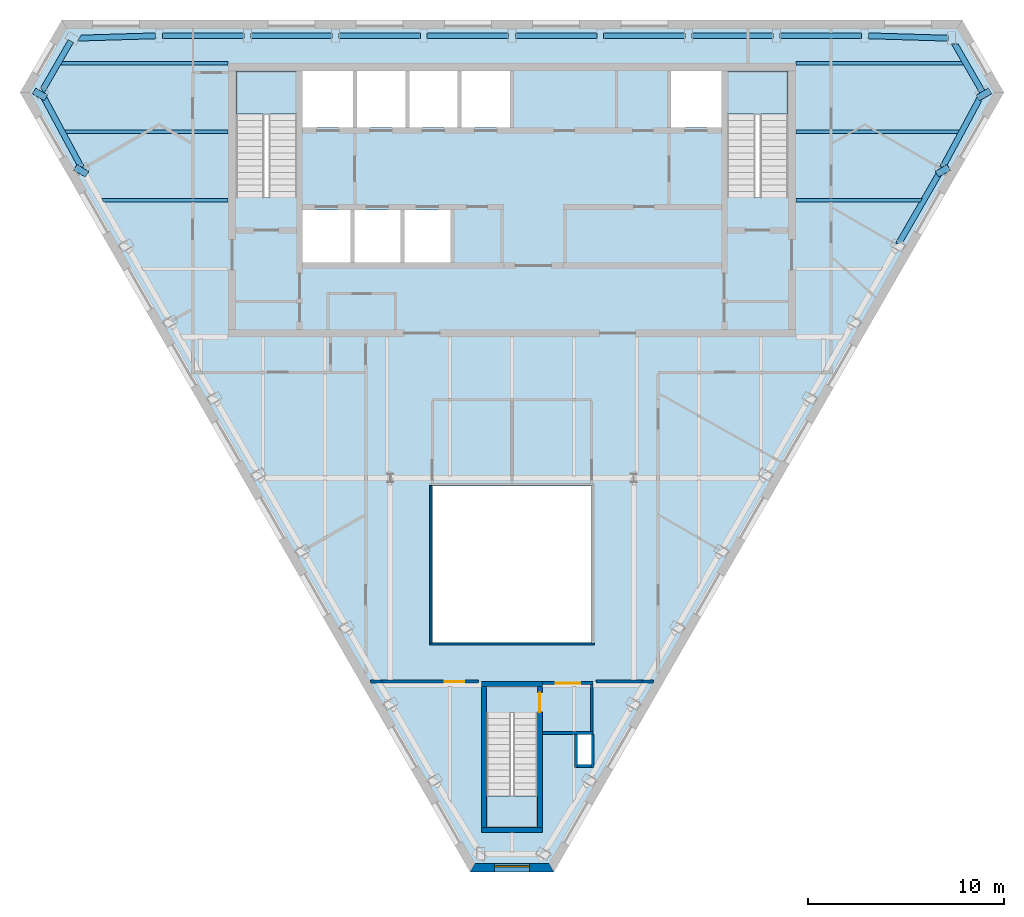
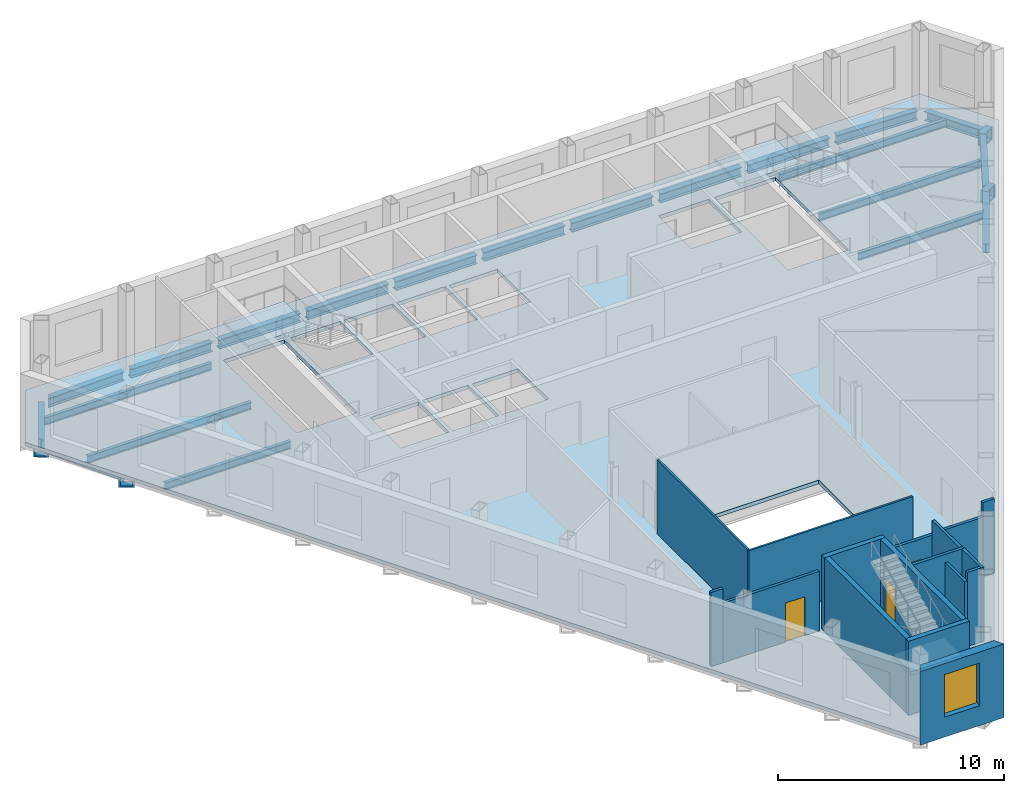
# One storey, part 3 of 9: 25 beams, 17 walls, 4 slabs, 3 doors, 1 window, 4 openings, 3 elements without a shape of their own.
"""IFC4 building model written with IfcOpenShell, lengths in metres."""

from ifc_helpers import new_model, si_unit, direction, frame, frame_2d, origin, origin_2d, place, context, subcontext, project, spatial, polyline, rectangle, hollow_rectangle, i_section, outline, extrude, clip, halfspace, material, layer, layer_set, material_profile, profile_set, type_object, element, fill, aggregate, save


model = new_model("IFC4")

# Units and contexts
model_context = context("Model", 3, precision=1e-05, world=origin(), true_north=direction((0.0, 1.0)))
body_context = subcontext(model_context, "Body", "Model", "MODEL_VIEW")
ifc_project = project(units=[si_unit("LENGTHUNIT", "METRE"), si_unit("AREAUNIT", "SQUARE_METRE"), si_unit("VOLUMEUNIT", "CUBIC_METRE"), si_unit("PLANEANGLEUNIT", "RADIAN"), si_unit("MASSUNIT", "GRAM", prefix="KILO")], contexts=[model_context])

# Site, building, storey
site_placement = place(None, origin())
site = spatial("IfcSite", under=ifc_project, at=site_placement, CompositionType="ELEMENT")
building_placement = place(site_placement, origin())
building = spatial("IfcBuilding", under=site, at=building_placement, Name="Njiva Tower", CompositionType="ELEMENT")
storey_placement = place(building_placement, frame((0.0, 0.0, 321.0)))
storey = spatial("IfcBuildingStorey", under=building, at=storey_placement, Name="L73", CompositionType="ELEMENT", Elevation=321.0)

# Beams
ifc_material_1 = material(Name="Steel S355 J2", Category="steel")
ifc_material_profile_1 = material_profile(ifc_material_1, hollow_rectangle(XDim=0.7, YDim=0.7, WallThickness=0.08, at=origin_2d()), Name="BOX 700x700x80")
ifc_profile_set_1 = profile_set([ifc_material_profile_1], Name="Steel S355 J2")
beam_type_1 = type_object("IfcBeamType", Name="B19 Column jog beam BOX 700x700x80", PredefinedType="BEAM", material=ifc_profile_set_1)
beam_1_placement = place(storey_placement, frame((-24.198, 16.251, -0.55), z_axis=(0.500571914019, 0.865694957185, 0.0), x_axis=(-0.865694957185, 0.500571914019, 0.0)))
element("IfcBeam", 1, at=beam_1_placement, inside=storey, type_object=beam_type_1, Name="Column jog beam S25-B015", PredefinedType="BEAM", context=body_context, shape_type="SweptSolid", body=[
    extrude(hollow_rectangle(XDim=0.7, YDim=0.7, WallThickness=0.08, at=origin_2d()), origin(), (0.0, 0.0, 1.0), 0.3396),
])
for number, where, z_axis, x_axis, name in (
    (2, (-22.098, 12.348, -0.55), (0.499298623879, 0.866429964967, 0.0), (-0.866429964967, 0.499298623879, 0.0), "Column jog beam S25-B016"),
    (3, (22.098, 12.348, -0.55), (-0.499298623879, 0.866429964967, 0.0), (-0.866429964967, -0.499298623879, 0.0), "Column jog beam S25-B037"),
):
    element("IfcBeam", number, at=place(storey_placement, frame(where, z_axis=z_axis, x_axis=x_axis)), inside=storey, type_object=beam_type_1, Name=name, PredefinedType="BEAM", context=body_context, shape_type="SweptSolid", body=[
        extrude(hollow_rectangle(XDim=0.7, YDim=0.7, WallThickness=0.08, at=origin_2d()), origin(), (0.0, 0.0, 1.0), 0.3405),
    ])
beam_2_placement = place(storey_placement, frame((24.198, 16.251, -0.55), z_axis=(-0.500571914019, 0.865694957185, 0.0), x_axis=(-0.865694957185, -0.500571914019, 0.0)))
element("IfcBeam", 4, at=beam_2_placement, inside=storey, type_object=beam_type_1, Name="Column jog beam S25-B038", PredefinedType="BEAM", context=body_context, shape_type="SweptSolid", body=[
    extrude(hollow_rectangle(XDim=0.7, YDim=0.7, WallThickness=0.08, at=origin_2d()), origin(), (0.0, 0.0, 1.0), 0.3396),
])
ifc_material_profile_2 = material_profile(ifc_material_1, i_section(OverallWidth=0.3, OverallDepth=0.49, WebThickness=0.012, FlangeThickness=0.023, at=origin_2d()), Name="HEA 500")
ifc_profile_set_2 = profile_set([ifc_material_profile_2], Name="Steel S355 J2")
beam_type_2 = type_object("IfcBeamType", Name="B48 Short-span spandrel beam HEA 500", PredefinedType="SPANDREL", material=ifc_profile_set_2)
beam_3_placement = place(storey_placement, frame((22.277, 19.272, -0.445), z_axis=(-0.999544102072, 0.030192515853, 0.0), x_axis=(-0.030192515853, -0.999544102072, 0.0)))
element("IfcBeam", 5, at=beam_3_placement, inside=storey, type_object=beam_type_2, Name="Short-span spandrel beam S25-B112", PredefinedType="SPANDREL", context=body_context, shape_type="SweptSolid", body=[
    extrude(i_section(OverallWidth=0.3, OverallDepth=0.49, WebThickness=0.012, FlangeThickness=0.023, at=origin_2d()), origin(), (0.0, 0.0, 1.0), 4.0739),
])
beam_4_placement = place(storey_placement, frame((17.851, 19.4, -0.445), z_axis=(-1.0, 0.0, 0.0), x_axis=(0.0, -1.0, 0.0)))
element("IfcBeam", 6, at=beam_4_placement, inside=storey, type_object=beam_type_2, Name="Short-span spandrel beam S25-B107", PredefinedType="SPANDREL", context=body_context, shape_type="SweptSolid", body=[
    extrude(i_section(OverallWidth=0.3, OverallDepth=0.49, WebThickness=0.012, FlangeThickness=0.023, at=origin_2d()), origin(), (0.0, 0.0, 1.0), 4.156),
])
beam_5_placement = place(storey_placement, frame((13.345, 19.4, -0.445), z_axis=(-1.0, 0.0, 0.0), x_axis=(0.0, -1.0, 0.0)))
element("IfcBeam", 7, at=beam_5_placement, inside=storey, type_object=beam_type_2, Name="Short-span spandrel beam S25-B102", PredefinedType="SPANDREL", context=body_context, shape_type="SweptSolid", body=[
    extrude(i_section(OverallWidth=0.3, OverallDepth=0.49, WebThickness=0.012, FlangeThickness=0.023, at=origin_2d()), origin(), (0.0, 0.0, 1.0), 4.157),
])
beam_6_placement = place(storey_placement, frame((8.838, 19.4, -0.445), z_axis=(-1.0, 0.0, 0.0), x_axis=(0.0, -1.0, 0.0)))
element("IfcBeam", 8, at=beam_6_placement, inside=storey, type_object=beam_type_2, Name="Short-span spandrel beam S25-B097", PredefinedType="SPANDREL", context=body_context, shape_type="SweptSolid", body=[
    extrude(i_section(OverallWidth=0.3, OverallDepth=0.49, WebThickness=0.012, FlangeThickness=0.023, at=origin_2d()), origin(), (0.0, 0.0, 1.0), 4.156),
])
for number, where, z_axis, x_axis, name in (
    (9, (4.332, 19.4, -0.445), (-1.0, 0.0, 0.0), (0.0, -1.0, 0.0), "Short-span spandrel beam S25-B092"),
    (10, (-0.175, 19.4, -0.445), (-1.0, 0.0, 0.0), (0.0, -1.0, 0.0), "Short-span spandrel beam S25-B087"),
):
    element("IfcBeam", number, at=place(storey_placement, frame(where, z_axis=z_axis, x_axis=x_axis)), inside=storey, type_object=beam_type_2, Name=name, PredefinedType="SPANDREL", context=body_context, shape_type="SweptSolid", body=[
        extrude(i_section(OverallWidth=0.3, OverallDepth=0.49, WebThickness=0.012, FlangeThickness=0.023, at=origin_2d()), origin(), (0.0, 0.0, 1.0), 4.157),
    ])
beam_7_placement = place(storey_placement, frame((-4.682, 19.4, -0.445), z_axis=(-1.0, 0.0, 0.0), x_axis=(0.0, -1.0, 0.0)))
element("IfcBeam", 11, at=beam_7_placement, inside=storey, type_object=beam_type_2, Name="Short-span spandrel beam S25-B082", PredefinedType="SPANDREL", context=body_context, shape_type="SweptSolid", body=[
    extrude(i_section(OverallWidth=0.3, OverallDepth=0.49, WebThickness=0.012, FlangeThickness=0.023, at=origin_2d()), origin(), (0.0, 0.0, 1.0), 4.156),
])
beam_8_placement = place(storey_placement, frame((-9.188, 19.4, -0.445), z_axis=(-1.0, 0.0, 0.0), x_axis=(0.0, -1.0, 0.0)))
element("IfcBeam", 12, at=beam_8_placement, inside=storey, type_object=beam_type_2, Name="Short-span spandrel beam S25-B077", PredefinedType="SPANDREL", context=body_context, shape_type="SweptSolid", body=[
    extrude(i_section(OverallWidth=0.3, OverallDepth=0.49, WebThickness=0.012, FlangeThickness=0.023, at=origin_2d()), origin(), (0.0, 0.0, 1.0), 4.157),
])
beam_9_placement = place(storey_placement, frame((-13.695, 19.4, -0.445), z_axis=(-1.0, 0.0, 0.0), x_axis=(0.0, -1.0, 0.0)))
element("IfcBeam", 13, at=beam_9_placement, inside=storey, type_object=beam_type_2, Name="Short-span spandrel beam S25-B072", PredefinedType="SPANDREL", context=body_context, shape_type="SweptSolid", body=[
    extrude(i_section(OverallWidth=0.3, OverallDepth=0.49, WebThickness=0.012, FlangeThickness=0.023, at=origin_2d()), origin(), (0.0, 0.0, 1.0), 4.156),
])
beam_10_placement = place(storey_placement, frame((-18.205, 19.395, -0.445), z_axis=(-0.999542354349, -0.030250320034, 0.0), x_axis=(0.030250320034, -0.999542354349, 0.0)))
element("IfcBeam", 14, at=beam_10_placement, inside=storey, type_object=beam_type_2, Name="Short-span spandrel beam S25-B067", PredefinedType="SPANDREL", context=body_context, shape_type="Clipping", body=[
    clip(extrude(i_section(OverallWidth=0.3, OverallDepth=0.49, WebThickness=0.012, FlangeThickness=0.023, at=origin_2d()), origin(), (0.0, 0.0, 1.0), 4.0138), halfspace(frame((-0.0268, 0.0, 3.8841), z_axis=(-0.525966768254, 0.0, 0.850505119734), x_axis=(0.0, 1.0, 0.0)), False)),
])
beam_11_placement = place(storey_placement, frame((-22.544, 19.116, -0.445), z_axis=(-0.500030697692, -0.866007679738, 0.0), x_axis=(0.866007679738, -0.500030697692, 0.0)))
element("IfcBeam", 15, at=beam_11_placement, inside=storey, type_object=beam_type_2, Name="Short-span spandrel beam S25-B063", PredefinedType="SPANDREL", context=body_context, shape_type="Clipping", body=[
    clip(extrude(i_section(OverallWidth=0.3, OverallDepth=0.49, WebThickness=0.012, FlangeThickness=0.023, at=origin_2d()), origin(), (0.0, 0.0, 1.0), 3.0088), halfspace(frame((-0.0244, 0.0, 2.8876), z_axis=(-0.499971291931, 0.0, 0.866041977761), x_axis=(0.0, 1.0, 0.0)), False)),
])
beam_12_placement = place(storey_placement, frame((-23.921, 16.239, -0.445), z_axis=(0.473719218081, -0.880675934962, 0.0), x_axis=(0.880675934962, 0.473719218081, 0.0)))
element("IfcBeam", 16, at=beam_12_placement, inside=storey, type_object=beam_type_2, Name="Short-span spandrel beam S25-B065", PredefinedType="SPANDREL", context=body_context, shape_type="SweptSolid", body=[
    extrude(i_section(OverallWidth=0.3, OverallDepth=0.49, WebThickness=0.012, FlangeThickness=0.023, at=origin_2d()), origin(), (0.0, 0.0, 1.0), 4.0741),
])
beam_13_placement = place(storey_placement, frame((19.737, 8.744, -0.445), z_axis=(0.499916824138, 0.866073420066, 0.0), x_axis=(-0.866073420066, 0.499916824138, 0.0)))
element("IfcBeam", 17, at=beam_13_placement, inside=storey, type_object=beam_type_2, Name="Short-span spandrel beam S25-B113", PredefinedType="SPANDREL", context=body_context, shape_type="SweptSolid", body=[
    extrude(i_section(OverallWidth=0.3, OverallDepth=0.49, WebThickness=0.012, FlangeThickness=0.023, at=origin_2d()), origin(), (0.0, 0.0, 1.0), 4.1567),
])
beam_14_placement = place(storey_placement, frame((21.991, 12.651, -0.445), z_axis=(0.473742932828, 0.88066317829, 0.0), x_axis=(-0.88066317829, 0.473742932828, 0.0)))
element("IfcBeam", 18, at=beam_14_placement, inside=storey, type_object=beam_type_2, Name="Short-span spandrel beam S25-B115", PredefinedType="SPANDREL", context=body_context, shape_type="Clipping", body=[
    clip(extrude(i_section(OverallWidth=0.3, OverallDepth=0.49, WebThickness=0.012, FlangeThickness=0.023, at=origin_2d()), origin(), (0.0, 0.0, 1.0), 4.1236), halfspace(frame((-0.0259, 0.0, 3.9945), z_axis=(-0.525807172935, 0.0, 0.850603795483), x_axis=(0.0, 1.0, 0.0)), False)),
])
beam_15_placement = place(storey_placement, frame((24.058, 16.493, -0.445), z_axis=(-0.500166797759, 0.865929081634, 0.0), x_axis=(-0.865929081634, -0.500166797759, 0.0)))
element("IfcBeam", 19, at=beam_15_placement, inside=storey, type_object=beam_type_2, Name="Short-span spandrel beam S25-B118", PredefinedType="SPANDREL", context=body_context, shape_type="Clipping", body=[
    clip(extrude(i_section(OverallWidth=0.3, OverallDepth=0.49, WebThickness=0.012, FlangeThickness=0.023, at=origin_2d()), origin(), (0.0, 0.0, 1.0), 2.964), halfspace(frame((-0.0254, 0.0, 2.8424), z_axis=(-0.500166797759, 0.0, 0.865929081634), x_axis=(0.0, 1.0, 0.0)), False)),
])
ifc_material_profile_3 = material_profile(ifc_material_1, i_section(OverallWidth=0.18, OverallDepth=0.4, WebThickness=0.0086, FlangeThickness=0.0135, at=origin_2d()), Name="IPE 400")
ifc_profile_set_3 = profile_set([ifc_material_profile_3], Name="Steel S355 J2")
beam_type_3 = type_object("IfcBeamType", Name="B51 Floor beam to the core IPE 400", PredefinedType="BEAM", material=ifc_profile_set_3)
beam_16_placement = place(storey_placement, frame((-20.996, 11.0, -0.4), z_axis=(1.0, 0.0, 0.0), x_axis=(0.0, 1.0, 0.0)))
element("IfcBeam", 20, at=beam_16_placement, inside=storey, type_object=beam_type_3, Name="Floor beam to the core S25-B003", PredefinedType="BEAM", context=body_context, shape_type="Clipping", body=[
    clip(extrude(i_section(OverallWidth=0.18, OverallDepth=0.4, WebThickness=0.0086, FlangeThickness=0.0135, at=origin_2d()), origin(), (0.0, 0.0, 1.0), 6.496), halfspace(frame((-0.025, 0.0, 0.0863), z_axis=(-0.499998009787, 0.0, -0.866026552831), x_axis=(0.0, -1.0, 0.0)), False)),
])
beam_17_placement = place(storey_placement, frame((14.5, 11.0, -0.4), z_axis=(1.0, 0.0, 0.0), x_axis=(0.0, 1.0, 0.0)))
element("IfcBeam", 21, at=beam_17_placement, inside=storey, type_object=beam_type_3, Name="Floor beam to the core S25-B006", PredefinedType="BEAM", context=body_context, shape_type="Clipping", body=[
    clip(extrude(i_section(OverallWidth=0.18, OverallDepth=0.4, WebThickness=0.0086, FlangeThickness=0.0135, at=origin_2d()), origin(), (0.0, 0.0, 1.0), 6.496), halfspace(frame((-0.025, 0.0, 6.4097), z_axis=(-0.499998009787, 0.0, 0.866026552831), x_axis=(0.0, 1.0, 0.0)), False)),
])
beam_18_placement = place(storey_placement, frame((-22.94, 14.5, -0.4), z_axis=(1.0, 0.0, 0.0), x_axis=(0.0, 1.0, 0.0)))
element("IfcBeam", 22, at=beam_18_placement, inside=storey, type_object=beam_type_3, Name="Floor beam to the core S25-B002", PredefinedType="BEAM", context=body_context, shape_type="Clipping", body=[
    clip(extrude(i_section(OverallWidth=0.18, OverallDepth=0.4, WebThickness=0.0086, FlangeThickness=0.0135, at=origin_2d()), origin(), (0.0, 0.0, 1.0), 8.44), halfspace(frame((-0.0237, 0.0, 0.0811), z_axis=(-0.47376166762, 0.0, -0.88065309986), x_axis=(0.0, -1.0, 0.0)), False)),
])
beam_19_placement = place(storey_placement, frame((14.5, 14.5, -0.4), z_axis=(1.0, 0.0, 0.0), x_axis=(0.0, 1.0, 0.0)))
element("IfcBeam", 23, at=beam_19_placement, inside=storey, type_object=beam_type_3, Name="Floor beam to the core S25-B007", PredefinedType="BEAM", context=body_context, shape_type="Clipping", body=[
    clip(extrude(i_section(OverallWidth=0.18, OverallDepth=0.4, WebThickness=0.0086, FlangeThickness=0.0135, at=origin_2d()), origin(), (0.0, 0.0, 1.0), 8.44), halfspace(frame((-0.0237, 0.0, 8.3589), z_axis=(-0.47376166762, 0.0, 0.88065309986), x_axis=(0.0, 1.0, 0.0)), False)),
])
beam_20_placement = place(storey_placement, frame((-23.144, 18.0, -0.4), z_axis=(1.0, 0.0, 0.0), x_axis=(0.0, 1.0, 0.0)))
element("IfcBeam", 24, at=beam_20_placement, inside=storey, type_object=beam_type_3, Name="Floor beam to the core S25-B001", PredefinedType="BEAM", context=body_context, shape_type="Clipping", body=[
    clip(extrude(i_section(OverallWidth=0.18, OverallDepth=0.4, WebThickness=0.0086, FlangeThickness=0.0135, at=origin_2d()), origin(), (0.0, 0.0, 1.0), 8.644), halfspace(frame((0.025, 0.0, 0.0862), z_axis=(0.499998009787, 0.0, -0.866026552831), x_axis=(0.0, -1.0, 0.0)), False)),
])
beam_21_placement = place(storey_placement, frame((14.5, 18.0, -0.4), z_axis=(1.0, 0.0, 0.0), x_axis=(0.0, 1.0, 0.0)))
element("IfcBeam", 25, at=beam_21_placement, inside=storey, type_object=beam_type_3, Name="Floor beam to the core S25-B008", PredefinedType="BEAM", context=body_context, shape_type="Clipping", body=[
    clip(extrude(i_section(OverallWidth=0.18, OverallDepth=0.4, WebThickness=0.0086, FlangeThickness=0.0135, at=origin_2d()), origin(), (0.0, 0.0, 1.0), 8.644), halfspace(frame((0.025, 0.0, 8.5578), z_axis=(0.499998009787, 0.0, 0.866026552831), x_axis=(0.0, 1.0, 0.0)), False)),
])

# Stair, slab
ifc_material_2 = material(Name="Concrete C40/50", Category="concrete")
stair_type_1 = type_object("IfcStairType", Name="ST3 Exit stair 1450", PredefinedType="HALF_TURN_STAIR", material=ifc_material_2)
stair_1_placement = place(storey_placement, origin())
stair_1 = element("IfcStair", 26, at=stair_1_placement, inside=storey, type_object=stair_type_1, Name="Stair A", PredefinedType="HALF_TURN_STAIR")
ifc_layer_1 = layer(ifc_material_2, 0.2)
ifc_layer_set_1 = layer_set([ifc_layer_1], Name="Concrete C40/50")
slab_type_1 = type_object("IfcSlabType", Name="FL9 Stair landing 200", PredefinedType="LANDING", material=ifc_layer_set_1)
slab_1_placement = place(storey_placement, frame((0.0, 0.0, 1.9)))
slab_1 = element("IfcSlab", 27, at=slab_1_placement, type_object=slab_type_1, Name="ST-A landing 1", PredefinedType="LANDING", context=body_context, shape_type="SweptSolid", body=[
    extrude(outline(polyline([(-14.106, 15.39), (-10.994, 15.39), (-10.994, 17.6), (-14.106, 17.6), (-14.106, 15.39)])), origin(), (0.0, 0.0, 1.0), 0.2),
])
aggregate(stair_1, [slab_1])

stair_2_placement = place(storey_placement, origin())
stair_2 = element("IfcStair", 28, at=stair_2_placement, inside=storey, type_object=stair_type_1, Name="Stair B", PredefinedType="HALF_TURN_STAIR")
slab_2_placement = place(storey_placement, frame((0.0, 0.0, 1.9)))
slab_2 = element("IfcSlab", 29, at=slab_2_placement, type_object=slab_type_1, Name="ST-B landing 1", PredefinedType="LANDING", context=body_context, shape_type="SweptSolid", body=[
    extrude(outline(polyline([(10.994, 15.39), (14.106, 15.39), (14.106, 17.6), (10.994, 17.6), (10.994, 15.39)])), origin(), (0.0, 0.0, 1.0), 0.2),
])
aggregate(stair_2, [slab_2])

stair_type_2 = type_object("IfcStairType", Name="ST1 Exit stair 1250", PredefinedType="HALF_TURN_STAIR", material=ifc_material_2)
stair_3_placement = place(storey_placement, origin())
stair_3 = element("IfcStair", 30, at=stair_3_placement, inside=storey, type_object=stair_type_2, Name="Stair C", PredefinedType="HALF_TURN_STAIR")
slab_3_placement = place(storey_placement, frame((0.0, 0.0, 1.9)))
slab_3 = element("IfcSlab", 31, at=slab_3_placement, type_object=slab_type_1, Name="ST-C landing 1", PredefinedType="LANDING", context=body_context, shape_type="SweptSolid", body=[
    extrude(outline(polyline([(-1.306, -21.05), (1.306, -21.05), (1.306, -19.45), (-1.306, -19.45), (-1.306, -21.05)])), origin(), (0.0, 0.0, 1.0), 0.2),
])
aggregate(stair_3, [slab_3])

# Slab
ifc_material_3 = material(Name="Concrete C30/37", Category="concrete")
ifc_layer_2 = layer(ifc_material_3, 0.2)
ifc_layer_set_2 = layer_set([ifc_layer_2], Name="Concrete C30/37")
slab_type_2 = type_object("IfcSlabType", Name="SL16 Composite floor slab 200", PredefinedType="FLOOR", material=ifc_layer_set_2)
slab_4_placement = place(storey_placement, frame((0.0, 0.0, -0.2)))
element("IfcSlab", 32, at=slab_4_placement, inside=storey, type_object=slab_type_2, Name="Floor slab L73", PredefinedType="FLOOR", context=body_context, shape_type="SweptSolid", body=[
    extrude(outline(polyline([(24.8752, 16.4934), (2.0101, -23.1101), (-2.0101, -23.1101), (-24.8752, 16.4934), (-22.8651, 19.975), (22.8651, 19.975), (24.8752, 16.4934)]), holes=[polyline([(10.994, 11.13), (14.106, 11.13), (14.106, 17.6), (10.994, 17.6), (10.994, 11.13)]), polyline([(8.125, 14.7), (10.7, 14.7), (10.7, 17.6), (8.125, 17.6), (8.125, 14.7)]), polyline([(4.07, -11.6), (4.07, -3.6), (-4.07, -3.6), (-4.07, -11.6), (4.07, -11.6)]), polyline([(3.35, -17.85), (4.05, -17.85), (4.05, -16.3), (3.35, -16.3), (3.35, -17.85)]), polyline([(-1.306, -21.05), (1.306, -21.05), (1.306, -15.19), (-1.306, -15.19), (-1.306, -21.05)]), polyline([(-2.575, 14.7), (-0.1, 14.7), (-0.1, 17.6), (-2.575, 17.6), (-2.575, 14.7)]), polyline([(-2.775, 14.7), (-2.775, 17.6), (-5.25, 17.6), (-5.25, 14.7), (-2.775, 14.7)]), polyline([(-5.5, 7.8), (-3.15, 7.8), (-3.15, 10.5), (-5.5, 10.5), (-5.5, 7.8)]), polyline([(-7.925, 14.7), (-5.45, 14.7), (-5.45, 17.6), (-7.925, 17.6), (-7.925, 14.7)]), polyline([(-8.05, 7.8), (-5.7, 7.8), (-5.7, 10.5), (-8.05, 10.5), (-8.05, 7.8)]), polyline([(-10.7, 14.7), (-8.125, 14.7), (-8.125, 17.6), (-10.7, 17.6), (-10.7, 14.7)]), polyline([(-8.25, 7.8), (-8.25, 10.5), (-10.7, 10.5), (-10.7, 7.8), (-8.25, 7.8)]), polyline([(-10.994, 11.13), (-10.994, 17.6), (-14.106, 17.6), (-14.106, 11.13), (-10.994, 11.13)])]), origin(), (0.0, 0.0, 1.0), 0.2),
])

# Wall
ifc_material_4 = material(Name="Gypsum board on steel studs", Category="gypsum")
ifc_layer_3 = layer(ifc_material_4, 0.15)
ifc_layer_set_3 = layer_set([ifc_layer_3], Name="Gypsum board on steel studs")
wall_type_1 = type_object("IfcWallType", Name="WT21 Compartment wall 150", PredefinedType="PARTITIONING", material=ifc_layer_set_3)
wall_1_placement = place(storey_placement, frame((-7.241, -13.6, 0.0), z_axis=(0.0, 0.0, 1.0), x_axis=(1.0, 0.0, 0.0)))
element("IfcWall", 33, at=wall_1_placement, inside=storey, type_object=wall_type_1, Name="Partition S25-P011", PredefinedType="PARTITIONING", context=body_context, shape_type="SweptSolid", body=[
    extrude(rectangle(XDim=0.606, YDim=0.15, at=frame_2d((0.303, 0.0))), origin(), (0.0, 0.0, 1.0), 4.0),
])

# Wall, opening, door
wall_2_placement = place(storey_placement, frame((-6.635, -13.6, 0.0), z_axis=(0.0, 0.0, 1.0), x_axis=(1.0, 0.0, 0.0)))
wall_2 = element("IfcWall", 34, at=wall_2_placement, inside=storey, type_object=wall_type_1, Name="Partition S25-P011A", PredefinedType="PARTITIONING", context=body_context, shape_type="SweptSolid", body=[
    extrude(rectangle(XDim=4.935, YDim=0.15, at=frame_2d((2.4675, 0.0))), origin(), (0.0, 0.0, 1.0), 3.21),
])
opening_1_placement = place(wall_2_placement, frame((3.189, 0.0, 0.0)))
opening_1 = element("IfcOpeningElement", 35, at=opening_1_placement, cuts=wall_2, Name="Opening S25-D008", PredefinedType="OPENING", context=body_context, shape_type="SweptSolid", body=[
    extrude(rectangle(XDim=1.0, YDim=2.1, at=frame_2d((0.5, 1.05))), frame((0.0, 0.085, 0.0), z_axis=(0.0, -1.0, 0.0), x_axis=(1.0, 0.0, 0.0)), (0.0, 0.0, 1.0), 0.17),
])
ifc_material_5 = material(Name="Steel fire door set", Category="steel")
door_type_1 = type_object("IfcDoorType", Name="D37 Fire door 1000x2100", OperationType="SINGLE_SWING_LEFT", PredefinedType="DOOR", material=ifc_material_5)
door_1_placement = place(opening_1_placement, origin())
door_1 = element("IfcDoor", 36, at=door_1_placement, inside=storey, type_object=door_type_1, Name="Door S25-D008", OperationType="SINGLE_SWING_RIGHT", OverallHeight=2.1, OverallWidth=1.0, PredefinedType="DOOR", context=body_context, shape_type="SweptSolid", body=[
    extrude(rectangle(XDim=1.0, YDim=2.1, at=frame_2d((0.5, 1.05))), frame((0.0, 0.025, 0.0), z_axis=(0.0, -1.0, 0.0), x_axis=(1.0, 0.0, 0.0)), (0.0, 0.0, 1.0), 0.05),
])
fill(opening_1, door_1)

# Walls
wall_3_placement = place(storey_placement, frame((4.3, -13.6, 0.0), z_axis=(0.0, 0.0, 1.0), x_axis=(1.0, 0.0, 0.0)))
element("IfcWall", 37, at=wall_3_placement, inside=storey, type_object=wall_type_1, Name="Partition S25-P016", PredefinedType="PARTITIONING", context=body_context, shape_type="SweptSolid", body=[
    extrude(rectangle(XDim=2.335, YDim=0.15, at=frame_2d((1.1675, 0.0))), origin(), (0.0, 0.0, 1.0), 3.21),
])
wall_4_placement = place(storey_placement, frame((6.635, -13.6, 0.0), z_axis=(0.0, 0.0, 1.0), x_axis=(1.0, 0.0, 0.0)))
element("IfcWall", 38, at=wall_4_placement, inside=storey, type_object=wall_type_1, Name="Partition S25-P016A", PredefinedType="PARTITIONING", context=body_context, shape_type="SweptSolid", body=[
    extrude(rectangle(XDim=0.606, YDim=0.15, at=frame_2d((0.303, 0.0))), origin(), (0.0, 0.0, 1.0), 4.0),
])
ifc_material_6 = material(Name="Blockwork", Category="masonry")
ifc_layer_4 = layer(ifc_material_6, 0.15)
ifc_layer_set_4 = layer_set([ifc_layer_4], Name="Blockwork")
wall_type_2 = type_object("IfcWallType", Name="WT4 Stair partition 150", PredefinedType="PARTITIONING", material=ifc_layer_set_4)
wall_5_placement = place(storey_placement, frame((1.55, -16.225, 0.0), z_axis=(0.0, 0.0, 1.0), x_axis=(1.0, 0.0, 0.0)))
element("IfcWall", 39, at=wall_5_placement, inside=storey, type_object=wall_type_2, Name="Stair C vestibule wall south", PredefinedType="PARTITIONING", context=body_context, shape_type="SweptSolid", body=[
    extrude(rectangle(XDim=2.6, YDim=0.15, at=frame_2d((1.3, 0.0))), origin(), (0.0, 0.0, 1.0), 4.0),
])
wall_6_placement = place(storey_placement, frame((4.075, -16.15, 0.0), z_axis=(0.0, 0.0, 1.0), x_axis=(0.0, 1.0, 0.0)))
element("IfcWall", 40, at=wall_6_placement, inside=storey, type_object=wall_type_2, Name="Stair C vestibule wall east", PredefinedType="PARTITIONING", context=body_context, shape_type="SweptSolid", body=[
    extrude(rectangle(XDim=2.4, YDim=0.15, at=frame_2d((1.2, 0.0))), origin(), (0.0, 0.0, 1.0), 4.0),
])

# Wall, opening, door
wall_7_placement = place(storey_placement, frame((1.55, -13.675, 0.0), z_axis=(0.0, 0.0, 1.0), x_axis=(1.0, 0.0, 0.0)))
wall_7 = element("IfcWall", 41, at=wall_7_placement, inside=storey, type_object=wall_type_2, Name="Stair C vestibule wall north", PredefinedType="PARTITIONING", context=body_context, shape_type="SweptSolid", body=[
    extrude(rectangle(XDim=2.6, YDim=0.15, at=frame_2d((1.3, 0.0))), origin(), (0.0, 0.0, 1.0), 3.21),
])
opening_2_placement = place(wall_7_placement, frame((0.675, 0.0, 0.0)))
opening_2 = element("IfcOpeningElement", 42, at=opening_2_placement, cuts=wall_7, Name="Opening S25-D928", PredefinedType="OPENING", context=body_context, shape_type="SweptSolid", body=[
    extrude(rectangle(XDim=1.25, YDim=2.1, at=frame_2d((0.625, 1.05))), frame((0.0, 0.085, 0.0), z_axis=(0.0, -1.0, 0.0), x_axis=(1.0, 0.0, 0.0)), (0.0, 0.0, 1.0), 0.17),
])
ifc_material_7 = material(Name="Glazed steel fire door", Category="steel")
door_type_2 = type_object("IfcDoorType", Name="D8 Vestibule corridor door 1250x2100 glazed", OperationType="SINGLE_SWING_LEFT", PredefinedType="DOOR", material=ifc_material_7)
door_2_placement = place(opening_2_placement, origin())
door_2 = element("IfcDoor", 43, at=door_2_placement, inside=storey, type_object=door_type_2, Name="Stair vestibule corridor door", OperationType="SINGLE_SWING_RIGHT", OverallHeight=2.1, OverallWidth=1.25, PredefinedType="DOOR", context=body_context, shape_type="SweptSolid", body=[
    extrude(rectangle(XDim=1.25, YDim=2.1, at=frame_2d((0.625, 1.05))), frame((0.0, 0.025, 0.0), z_axis=(0.0, -1.0, 0.0), x_axis=(1.0, 0.0, 0.0)), (0.0, 0.0, 1.0), 0.05),
])
fill(opening_2, door_2)

# Walls
wall_8_placement = place(storey_placement, frame((3.275, -18.0, 0.0), z_axis=(0.0, 0.0, 1.0), x_axis=(0.0, 1.0, 0.0)))
element("IfcWall", 44, at=wall_8_placement, inside=storey, type_object=wall_type_2, Name="Stair C pressurisation shaft wall", PredefinedType="PARTITIONING", context=body_context, shape_type="SweptSolid", body=[
    extrude(rectangle(XDim=1.7, YDim=0.15, at=frame_2d((0.85, 0.0))), origin(), (0.0, 0.0, 1.0), 3.55),
])
wall_9_placement = place(storey_placement, frame((3.35, -17.925, 0.0), z_axis=(0.0, 0.0, 1.0), x_axis=(1.0, 0.0, 0.0)))
element("IfcWall", 45, at=wall_9_placement, inside=storey, type_object=wall_type_2, Name="Stair C pressurisation shaft wall", PredefinedType="PARTITIONING", context=body_context, shape_type="SweptSolid", body=[
    extrude(rectangle(XDim=0.7, YDim=0.15, at=frame_2d((0.35, 0.0))), origin(), (0.0, 0.0, 1.0), 4.0),
])
wall_10_placement = place(storey_placement, frame((4.125, -18.0, 0.0), z_axis=(0.0, 0.0, 1.0), x_axis=(0.0, 1.0, 0.0)))
element("IfcWall", 46, at=wall_10_placement, inside=storey, type_object=wall_type_2, Name="Stair C pressurisation shaft wall", PredefinedType="PARTITIONING", context=body_context, shape_type="SweptSolid", body=[
    extrude(rectangle(XDim=1.7, YDim=0.15, at=frame_2d((0.85, 0.0))), origin(), (0.0, 0.0, 1.0), 4.0),
])
ifc_layer_5 = layer(ifc_material_2, 0.25)
ifc_layer_set_5 = layer_set([ifc_layer_5], Name="Concrete C40/50")
wall_type_3 = type_object("IfcWallType", Name="WT9 Stair enclosure wall 250", PredefinedType="SHEAR", material=ifc_layer_set_5)
wall_11_placement = place(storey_placement, frame((-1.425, -21.05, 0.0), z_axis=(0.0, 0.0, 1.0), x_axis=(0.0, 1.0, 0.0)))
element("IfcWall", 47, at=wall_11_placement, inside=storey, type_object=wall_type_3, Name="Stair C wall west", PredefinedType="SHEAR", context=body_context, shape_type="SweptSolid", body=[
    extrude(rectangle(XDim=7.2, YDim=0.25, at=frame_2d((3.6, 0.0))), origin(), (0.0, 0.0, 1.0), 4.0),
])

# Wall, opening, door
wall_12_placement = place(storey_placement, frame((1.425, -21.05, 0.0), z_axis=(0.0, 0.0, 1.0), x_axis=(0.0, 1.0, 0.0)))
wall_12 = element("IfcWall", 48, at=wall_12_placement, inside=storey, type_object=wall_type_3, Name="Stair C wall east", PredefinedType="SHEAR", context=body_context, shape_type="SweptSolid", body=[
    extrude(rectangle(XDim=7.2, YDim=0.25, at=frame_2d((3.6, 0.0))), origin(), (0.0, 0.0, 1.0), 4.0),
])
opening_3_placement = place(wall_12_placement, frame((5.89, 0.0, 0.0)))
opening_3 = element("IfcOpeningElement", 49, at=opening_3_placement, cuts=wall_12, Name="Opening S25-D927", PredefinedType="OPENING", context=body_context, shape_type="SweptSolid", body=[
    extrude(rectangle(XDim=1.0, YDim=2.1, at=frame_2d((0.5, 1.05))), frame((0.0, 0.135, 0.0), z_axis=(0.0, -1.0, 0.0), x_axis=(1.0, 0.0, 0.0)), (0.0, 0.0, 1.0), 0.27),
])
door_type_3 = type_object("IfcDoorType", Name="D9 Stair vestibule door 1000x2100 glazed", OperationType="SINGLE_SWING_LEFT", PredefinedType="DOOR", material=ifc_material_7)
door_3_placement = place(opening_3_placement, origin())
door_3 = element("IfcDoor", 50, at=door_3_placement, inside=storey, type_object=door_type_3, Name="Stair C door", OperationType="SINGLE_SWING_LEFT", OverallHeight=2.1, OverallWidth=1.0, PredefinedType="DOOR", context=body_context, shape_type="SweptSolid", body=[
    extrude(rectangle(XDim=1.0, YDim=2.1, at=frame_2d((0.5, 1.05))), frame((0.0, 0.025, 0.0), z_axis=(0.0, -1.0, 0.0), x_axis=(1.0, 0.0, 0.0)), (0.0, 0.0, 1.0), 0.05),
])
fill(opening_3, door_3)

# Walls
for number, where, z_axis, x_axis, name in (
    (51, (-1.55, -21.175, 0.0), (0.0, 0.0, 1.0), (1.0, 0.0, 0.0), "Stair C wall south"),
    (52, (-1.55, -13.725, 0.0), (0.0, 0.0, 1.0), (1.0, 0.0, 0.0), "Stair C wall north"),
):
    element("IfcWall", number, at=place(storey_placement, frame(where, z_axis=z_axis, x_axis=x_axis)), inside=storey, type_object=wall_type_3, Name=name, PredefinedType="SHEAR", context=body_context, shape_type="SweptSolid", body=[
        extrude(rectangle(XDim=3.1, YDim=0.25, at=frame_2d((1.55, 0.0))), origin(), (0.0, 0.0, 1.0), 4.0),
    ])

# Wall, opening, window
ifc_material_8 = material(Name="Brick masonry, buff", Category="masonry")
ifc_layer_6 = layer(ifc_material_8, 0.45)
ifc_layer_set_6 = layer_set([ifc_layer_6], Name="Brick masonry, buff")
wall_type_4 = type_object("IfcWallType", Name="WT94 Brick pier and spandrel wall 450, buff", PredefinedType="SOLIDWALL", material=ifc_layer_set_6)
wall_13_placement = place(storey_placement, frame((-2.0101, -23.1101, -0.18), z_axis=(0.0, 0.0, 1.0), x_axis=(1.0, 0.0, 0.0)))
wall_13 = element("IfcWall", 53, at=wall_13_placement, inside=storey, type_object=wall_type_4, Name="Facade wall S", PredefinedType="SOLIDWALL", context=body_context, shape_type="SweptSolid", body=[
    extrude(outline(polyline([(-0.1299, -0.225), (4.1501, -0.225), (3.8903, 0.225), (0.1299, 0.225), (-0.1299, -0.225)])), origin(), (0.0, 0.0, 1.0), 3.98),
])
opening_4_placement = place(wall_13_placement, frame((1.1101, 0.0, 1.08)))
opening_4 = element("IfcOpeningElement", 54, at=opening_4_placement, cuts=wall_13, Name="Opening S25-W18", PredefinedType="OPENING", context=body_context, shape_type="SweptSolid", body=[
    extrude(rectangle(XDim=1.8, YDim=2.3, at=frame_2d((0.9, 1.15))), frame((0.0, 0.235, 0.0), z_axis=(0.0, -1.0, 0.0), x_axis=(1.0, 0.0, 0.0)), (0.0, 0.0, 1.0), 0.47),
])
ifc_material_9 = material(Name="Clear glazing in aluminium frame", Category="aluminium")
window_type = type_object("IfcWindowType", Name="W95 Deep-set window 1800x2300", PartitioningType="SINGLE_PANEL", PredefinedType="WINDOW", material=ifc_material_9)
window_placement = place(opening_4_placement, origin())
window = element("IfcWindow", 55, at=window_placement, inside=storey, type_object=window_type, Name="Window", OverallHeight=2.3, OverallWidth=1.8, PartitioningType="SINGLE_PANEL", PredefinedType="WINDOW", context=body_context, shape_type="SweptSolid", body=[
    extrude(rectangle(XDim=1.8, YDim=2.3, at=frame_2d((0.9, 1.15))), frame((0.0, 0.105, 0.0), z_axis=(0.0, -1.0, 0.0), x_axis=(1.0, 0.0, 0.0)), (0.0, 0.0, 1.0), 0.06),
])
fill(opening_4, window)

# Walls
ifc_material_10 = material(Name="Fire-resisting glazing EI 90", Category="glass")
ifc_layer_7 = layer(ifc_material_10, 0.1)
ifc_layer_set_7 = layer_set([ifc_layer_7], Name="Fire-resisting glazing EI 90")
wall_type_5 = type_object("IfcWallType", Name="WT95 Fire-resisting glazed screen EI 90", PredefinedType="PARTITIONING", material=ifc_layer_set_7)
wall_14_placement = place(storey_placement, frame((-4.19, -11.67, 0.0), z_axis=(0.0, 0.0, 1.0), x_axis=(1.0, 0.0, 0.0)))
element("IfcWall", 56, at=wall_14_placement, inside=storey, type_object=wall_type_5, Name="Atrium fire screen south", PredefinedType="PARTITIONING", context=body_context, shape_type="SweptSolid", body=[
    extrude(rectangle(XDim=8.38, YDim=0.1, at=frame_2d((4.19, 0.0))), origin(), (0.0, 0.0, 1.0), 4.0),
])
wall_15_placement = place(storey_placement, frame((-4.14, -3.58, 0.0), z_axis=(0.0, 0.0, 1.0), x_axis=(0.0, -1.0, 0.0)))
element("IfcWall", 57, at=wall_15_placement, inside=storey, type_object=wall_type_5, Name="Atrium fire screen west", PredefinedType="PARTITIONING", context=body_context, shape_type="SweptSolid", body=[
    extrude(rectangle(XDim=8.04, YDim=0.1, at=frame_2d((4.02, 0.0))), origin(), (0.0, 0.0, 1.0), 4.0),
])

save(model, "model.ifc")
